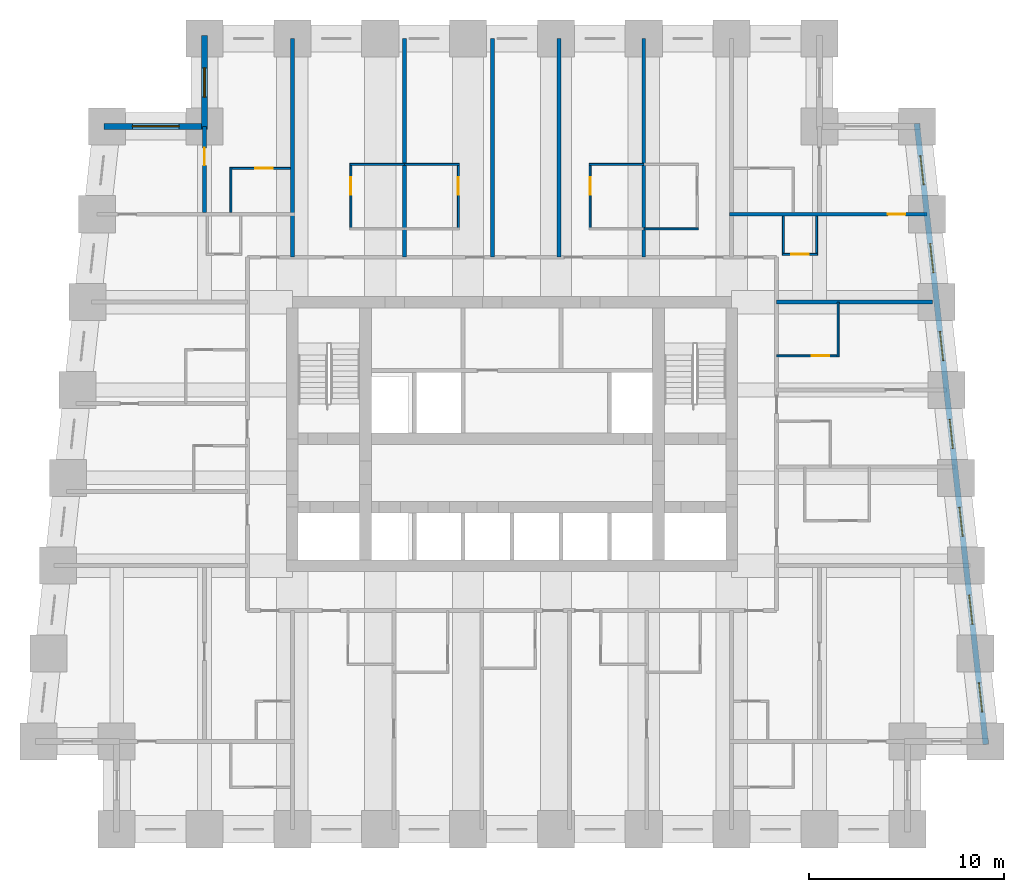
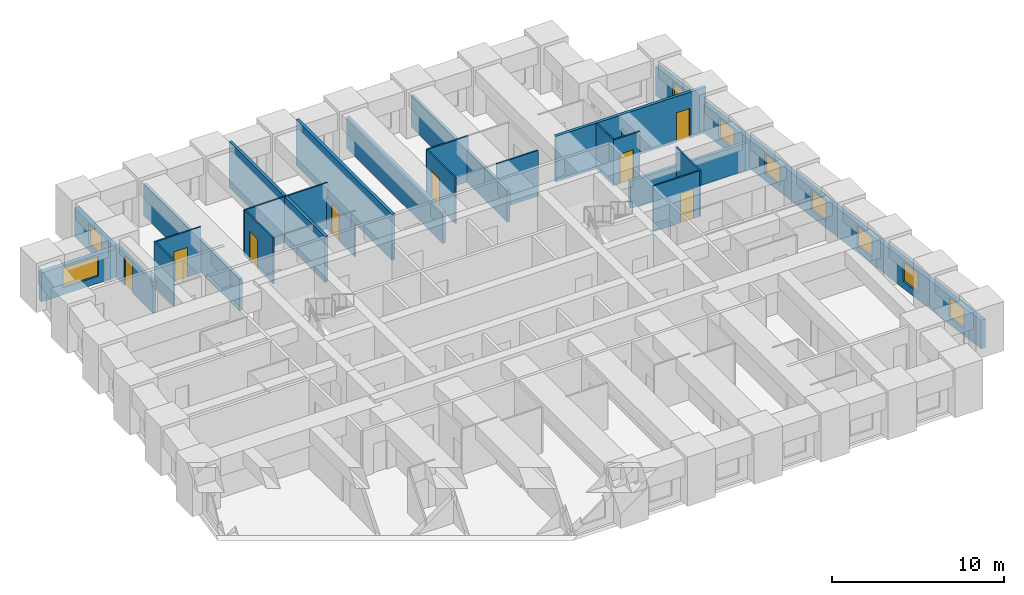
# One storey, part 6 of 8: 25 walls, 9 windows, 8 doors, 17 openings.
"""IFC4 building model written with IfcOpenShell, lengths in metres."""

from ifc_helpers import new_model, si_unit, direction, frame, frame_2d, origin, place, context, subcontext, project, spatial, rectangle, extrude, material, layer, layer_set, type_object, element, fill, save


model = new_model("IFC4")

# Units and contexts
model_context = context("Model", 3, precision=1e-05, world=origin(), true_north=direction((0.0, 1.0)))
body_context = subcontext(model_context, "Body", "Model", "MODEL_VIEW")
ifc_project = project(units=[si_unit("LENGTHUNIT", "METRE"), si_unit("AREAUNIT", "SQUARE_METRE"), si_unit("VOLUMEUNIT", "CUBIC_METRE"), si_unit("PLANEANGLEUNIT", "RADIAN"), si_unit("MASSUNIT", "GRAM", prefix="KILO")], contexts=[model_context])

# Site, building, storey
site_placement = place(None, origin())
site = spatial("IfcSite", under=ifc_project, at=site_placement, CompositionType="ELEMENT")
building_placement = place(site_placement, origin())
building = spatial("IfcBuilding", under=site, at=building_placement, Name="Kilele Tower Hotel", CompositionType="ELEMENT")
storey_placement = place(building_placement, frame((0.0, 0.0, 75.199951171875)))
storey = spatial("IfcBuildingStorey", under=building, at=storey_placement, Name="L18", CompositionType="ELEMENT", Elevation=75.199951171875)

# Wall
ifc_material_1 = material(Name="Moisture-resistant board")
ifc_layer_1 = layer(ifc_material_1, 0.10009765625)
ifc_layer_set_1 = layer_set([ifc_layer_1], Name="Moisture-resistant board")
wall_type_1 = type_object("IfcWallType", Name="Bathroom partition 100", PredefinedType="PLUMBINGWALL", material=ifc_layer_set_1)
wall_1_placement = place(storey_placement, frame((41.449951171875, 24.199951171875, 0.0), z_axis=(0.0, 0.0, 1.0), x_axis=(0.0, 1.0, 0.0)))
element("IfcWall", 1, at=wall_1_placement, inside=storey, type_object=wall_type_1, Name="Bathroom partition 100 L18", PredefinedType="PLUMBINGWALL", context=body_context, shape_type="SweptSolid", body=[
    extrude(rectangle(XDim=2.800048828125, YDim=0.10009765625, at=frame_2d((1.39990234375, 0.0))), origin(), (0.0, 0.0, 1.0), 3.25),
])

# Wall, opening, door
wall_2_placement = place(storey_placement, frame((38.300048828125, 24.25, 0.0), z_axis=(0.0, 0.0, 1.0), x_axis=(1.0, 0.0, 0.0)))
wall_2 = element("IfcWall", 2, at=wall_2_placement, inside=storey, type_object=wall_type_1, Name="Bathroom partition 100 L18", PredefinedType="PLUMBINGWALL", context=body_context, shape_type="SweptSolid", body=[
    extrude(rectangle(XDim=3.199951171875, YDim=0.10009765625, at=frame_2d((1.60009765625, 0.0))), origin(), (0.0, 0.0, 1.0), 3.25),
])
opening_1_placement = place(wall_2_placement, frame((2.699951171875, 0.0, 0.0), z_axis=(0.0, 0.0, 1.0), x_axis=(-1.0, 0.0, 0.0)))
opening_1 = element("IfcOpeningElement", 3, at=opening_1_placement, cuts=wall_2, Name="Opening D2A", PredefinedType="OPENING", context=body_context, shape_type="SweptSolid", body=[
    extrude(rectangle(XDim=0.89990234375, YDim=2.10009765625, at=frame_2d((0.449951171875, 1.050048828125))), frame((0.0, 0.06005859375, 0.0), z_axis=(0.0, -1.0, 0.0), x_axis=(1.0, 0.0, 0.0)), (0.0, 0.0, 1.0), 0.1201171875),
])
ifc_material_2 = material(Name="Timber door leaf in hardwood frame", Category="wood")
door_type_1 = type_object("IfcDoorType", Name="Bathroom door 900", OperationType="SINGLE_SWING_LEFT", PredefinedType="DOOR", material=ifc_material_2)
door_1_placement = place(opening_1_placement, origin())
door_1 = element("IfcDoor", 4, at=door_1_placement, inside=storey, type_object=door_type_1, Name="Bathroom door 1808B", OperationType="SINGLE_SWING_LEFT", OverallHeight=2.10009765625, OverallWidth=0.89990234375, PredefinedType="DOOR", context=body_context, shape_type="SweptSolid", body=[
    extrude(rectangle(XDim=0.89990234375, YDim=2.10009765625, at=frame_2d((0.449951171875, 1.050048828125))), frame((0.0, 0.02490234375, 0.0), z_axis=(0.0, -1.0, 0.0), x_axis=(1.0, 0.0, 0.0)), (0.0, 0.0, 1.0), 0.050048828125),
])
fill(opening_1, door_1)

# Wall
wall_3_placement = place(storey_placement, frame((16.449951171875, 34.050048828125, 0.0), z_axis=(0.0, 0.0, 1.0), x_axis=(1.0, 0.0, 0.0)))
element("IfcWall", 5, at=wall_3_placement, inside=storey, type_object=wall_type_1, Name="Bathroom partition 100 L18", PredefinedType="PLUMBINGWALL", context=body_context, shape_type="SweptSolid", body=[
    extrude(rectangle(XDim=2.800048828125, YDim=0.10009765625, at=frame_2d((1.39990234375, 0.0))), origin(), (0.0, 0.0, 1.0), 3.25),
])

# Wall, opening, door
wall_4_placement = place(storey_placement, frame((16.5, 30.699951171875, 0.0), z_axis=(0.0, 0.0, 1.0), x_axis=(0.0, 1.0, 0.0)))
wall_4 = element("IfcWall", 6, at=wall_4_placement, inside=storey, type_object=wall_type_1, Name="Bathroom partition 100 L18", PredefinedType="PLUMBINGWALL", context=body_context, shape_type="SweptSolid", body=[
    extrude(rectangle(XDim=3.400146484375, YDim=0.10009765625, at=frame_2d((1.7001953125, 0.0))), origin(), (0.0, 0.0, 1.0), 3.25),
])
opening_2_placement = place(wall_4_placement, frame((1.800048828125, 0.0, 0.0)))
opening_2 = element("IfcOpeningElement", 7, at=opening_2_placement, cuts=wall_4, Name="Opening D2A", PredefinedType="OPENING", context=body_context, shape_type="SweptSolid", body=[
    extrude(rectangle(XDim=0.89990234375, YDim=2.10009765625, at=frame_2d((0.449951171875, 1.050048828125))), frame((0.0, 0.06005859375, 0.0), z_axis=(0.0, -1.0, 0.0), x_axis=(1.0, 0.0, 0.0)), (0.0, 0.0, 1.0), 0.1201171875),
])
door_2_placement = place(opening_2_placement, origin())
door_2 = element("IfcDoor", 8, at=door_2_placement, inside=storey, type_object=door_type_1, Name="Bathroom door 1809B", OperationType="SINGLE_SWING_RIGHT", OverallHeight=2.10009765625, OverallWidth=0.89990234375, PredefinedType="DOOR", context=body_context, shape_type="SweptSolid", body=[
    extrude(rectangle(XDim=0.89990234375, YDim=2.10009765625, at=frame_2d((0.449951171875, 1.050048828125))), frame((0.0, 0.02490234375, 0.0), z_axis=(0.0, -1.0, 0.0), x_axis=(1.0, 0.0, 0.0)), (0.0, 0.0, 1.0), 0.050048828125),
])
fill(opening_2, door_2)

# Wall
wall_5_placement = place(storey_placement, frame((19.25, 34.050048828125, 0.0), z_axis=(0.0, 0.0, 1.0), x_axis=(1.0, 0.0, 0.0)))
element("IfcWall", 9, at=wall_5_placement, inside=storey, type_object=wall_type_1, Name="Bathroom partition 100 L18", PredefinedType="PLUMBINGWALL", context=body_context, shape_type="SweptSolid", body=[
    extrude(rectangle(XDim=2.800048828125, YDim=0.10009765625, at=frame_2d((1.39990234375, 0.0))), origin(), (0.0, 0.0, 1.0), 3.25),
])

# Wall, opening, door
wall_6_placement = place(storey_placement, frame((22.0, 30.699951171875, 0.0), z_axis=(0.0, 0.0, 1.0), x_axis=(0.0, 1.0, 0.0)))
wall_6 = element("IfcWall", 10, at=wall_6_placement, inside=storey, type_object=wall_type_1, Name="Bathroom partition 100 L18", PredefinedType="PLUMBINGWALL", context=body_context, shape_type="SweptSolid", body=[
    extrude(rectangle(XDim=3.400146484375, YDim=0.10009765625, at=frame_2d((1.7001953125, 0.0))), origin(), (0.0, 0.0, 1.0), 2.25),
])
opening_3_placement = place(wall_6_placement, frame((2.699951171875, 0.0, 0.0), z_axis=(0.0, 0.0, 1.0), x_axis=(-1.0, 0.0, 0.0)))
opening_3 = element("IfcOpeningElement", 11, at=opening_3_placement, cuts=wall_6, Name="Opening D2A", PredefinedType="OPENING", context=body_context, shape_type="SweptSolid", body=[
    extrude(rectangle(XDim=0.89990234375, YDim=2.10009765625, at=frame_2d((0.449951171875, 1.050048828125))), frame((0.0, 0.06005859375, 0.0), z_axis=(0.0, -1.0, 0.0), x_axis=(1.0, 0.0, 0.0)), (0.0, 0.0, 1.0), 0.1201171875),
])
door_3_placement = place(opening_3_placement, origin())
door_3 = element("IfcDoor", 12, at=door_3_placement, inside=storey, type_object=door_type_1, Name="Bathroom door 1810B", OperationType="SINGLE_SWING_LEFT", OverallHeight=2.10009765625, OverallWidth=0.89990234375, PredefinedType="DOOR", context=body_context, shape_type="SweptSolid", body=[
    extrude(rectangle(XDim=0.89990234375, YDim=2.10009765625, at=frame_2d((0.449951171875, 1.050048828125))), frame((0.0, 0.02490234375, 0.0), z_axis=(0.0, -1.0, 0.0), x_axis=(1.0, 0.0, 0.0)), (0.0, 0.0, 1.0), 0.050048828125),
])
fill(opening_3, door_3)

# Wall
wall_7_placement = place(storey_placement, frame((28.699951171875, 34.050048828125, 0.0), z_axis=(0.0, 0.0, 1.0), x_axis=(1.0, 0.0, 0.0)))
element("IfcWall", 13, at=wall_7_placement, inside=storey, type_object=wall_type_1, Name="Bathroom partition 100 L18", PredefinedType="PLUMBINGWALL", context=body_context, shape_type="SweptSolid", body=[
    extrude(rectangle(XDim=2.800048828125, YDim=0.10009765625, at=frame_2d((1.39990234375, 0.0))), origin(), (0.0, 0.0, 1.0), 3.25),
])

# Wall, opening, door
wall_8_placement = place(storey_placement, frame((28.75, 30.699951171875, 0.0), z_axis=(0.0, 0.0, 1.0), x_axis=(0.0, 1.0, 0.0)))
wall_8 = element("IfcWall", 14, at=wall_8_placement, inside=storey, type_object=wall_type_1, Name="Bathroom partition 100 L18", PredefinedType="PLUMBINGWALL", context=body_context, shape_type="SweptSolid", body=[
    extrude(rectangle(XDim=3.400146484375, YDim=0.10009765625, at=frame_2d((1.7001953125, 0.0))), origin(), (0.0, 0.0, 1.0), 3.25),
])
opening_4_placement = place(wall_8_placement, frame((1.800048828125, 0.0, 0.0)))
opening_4 = element("IfcOpeningElement", 15, at=opening_4_placement, cuts=wall_8, Name="Opening D2A", PredefinedType="OPENING", context=body_context, shape_type="SweptSolid", body=[
    extrude(rectangle(XDim=0.89990234375, YDim=2.10009765625, at=frame_2d((0.449951171875, 1.050048828125))), frame((0.0, 0.06005859375, 0.0), z_axis=(0.0, -1.0, 0.0), x_axis=(1.0, 0.0, 0.0)), (0.0, 0.0, 1.0), 0.1201171875),
])
door_4_placement = place(opening_4_placement, origin())
door_4 = element("IfcDoor", 16, at=door_4_placement, inside=storey, type_object=door_type_1, Name="Bathroom door 1812B", OperationType="SINGLE_SWING_RIGHT", OverallHeight=2.10009765625, OverallWidth=0.89990234375, PredefinedType="DOOR", context=body_context, shape_type="SweptSolid", body=[
    extrude(rectangle(XDim=0.89990234375, YDim=2.10009765625, at=frame_2d((0.449951171875, 1.050048828125))), frame((0.0, 0.02490234375, 0.0), z_axis=(0.0, -1.0, 0.0), x_axis=(1.0, 0.0, 0.0)), (0.0, 0.0, 1.0), 0.050048828125),
])
fill(opening_4, door_4)

# Walls
wall_9_placement = place(storey_placement, frame((31.5, 30.75, 0.0), z_axis=(0.0, 0.0, 1.0), x_axis=(1.0, 0.0, 0.0)))
element("IfcWall", 17, at=wall_9_placement, inside=storey, type_object=wall_type_1, Name="Bathroom partition 100 L18", PredefinedType="PLUMBINGWALL", context=body_context, shape_type="SweptSolid", body=[
    extrude(rectangle(XDim=2.800048828125, YDim=0.10009765625, at=frame_2d((1.39990234375, 0.0))), origin(), (0.0, 0.0, 1.0), 3.25),
])
wall_10_placement = place(storey_placement, frame((40.35009765625, 31.39990234375, 0.0), z_axis=(0.0, 0.0, 1.0), x_axis=(0.0, -1.0, 0.0)))
element("IfcWall", 18, at=wall_10_placement, inside=storey, type_object=wall_type_1, Name="Bathroom partition 100 L18", PredefinedType="PLUMBINGWALL", context=body_context, shape_type="SweptSolid", body=[
    extrude(rectangle(XDim=2.0, YDim=0.10009765625, at=frame_2d((1.0, 0.0))), origin(), (0.0, 0.0, 1.0), 2.25),
])
wall_11_placement = place(storey_placement, frame((38.64990234375, 31.39990234375, 0.0), z_axis=(0.0, 0.0, 1.0), x_axis=(0.0, -1.0, 0.0)))
element("IfcWall", 19, at=wall_11_placement, inside=storey, type_object=wall_type_1, Name="Bathroom partition 100 L18", PredefinedType="PLUMBINGWALL", context=body_context, shape_type="SweptSolid", body=[
    extrude(rectangle(XDim=2.0, YDim=0.10009765625, at=frame_2d((1.0, 0.0))), origin(), (0.0, 0.0, 1.0), 3.25),
])

# Wall, opening, door
wall_12_placement = place(storey_placement, frame((38.60009765625, 29.449951171875, 0.0), z_axis=(0.0, 0.0, 1.0), x_axis=(1.0, 0.0, 0.0)))
wall_12 = element("IfcWall", 20, at=wall_12_placement, inside=storey, type_object=wall_type_1, Name="Bathroom partition 100 L18", PredefinedType="PLUMBINGWALL", context=body_context, shape_type="SweptSolid", body=[
    extrude(rectangle(XDim=1.7998046875, YDim=0.10009765625, at=frame_2d((0.89990234375, 0.0))), origin(), (0.0, 0.0, 1.0), 3.25),
])
opening_5_placement = place(wall_12_placement, frame((1.349853515625, 0.0, 0.0), z_axis=(0.0, 0.0, 1.0), x_axis=(-1.0, 0.0, 0.0)))
opening_5 = element("IfcOpeningElement", 21, at=opening_5_placement, cuts=wall_12, Name="Opening D2A", PredefinedType="OPENING", context=body_context, shape_type="SweptSolid", body=[
    extrude(rectangle(XDim=0.89990234375, YDim=2.10009765625, at=frame_2d((0.449951171875, 1.050048828125))), frame((0.0, 0.06005859375, 0.0), z_axis=(0.0, -1.0, 0.0), x_axis=(1.0, 0.0, 0.0)), (0.0, 0.0, 1.0), 0.1201171875),
])
door_5_placement = place(opening_5_placement, origin())
door_5 = element("IfcDoor", 22, at=door_5_placement, inside=storey, type_object=door_type_1, Name="Bathroom door 1823P", OperationType="SINGLE_SWING_RIGHT", OverallHeight=2.10009765625, OverallWidth=0.89990234375, PredefinedType="DOOR", context=body_context, shape_type="SweptSolid", body=[
    extrude(rectangle(XDim=0.89990234375, YDim=2.10009765625, at=frame_2d((0.449951171875, 1.050048828125))), frame((0.0, 0.02490234375, 0.0), z_axis=(0.0, -1.0, 0.0), x_axis=(1.0, 0.0, 0.0)), (0.0, 0.0, 1.0), 0.050048828125),
])
fill(opening_5, door_5)

# Wall
wall_13_placement = place(storey_placement, frame((10.35009765625, 31.60009765625, 0.0), z_axis=(0.0, 0.0, 1.0), x_axis=(0.0, 1.0, 0.0)))
element("IfcWall", 23, at=wall_13_placement, inside=storey, type_object=wall_type_1, Name="Bathroom partition 100 L18", PredefinedType="PLUMBINGWALL", context=body_context, shape_type="SweptSolid", body=[
    extrude(rectangle(XDim=2.2998046875, YDim=0.10009765625, at=frame_2d((1.14990234375, 0.0))), origin(), (0.0, 0.0, 1.0), 3.25),
])

# Wall, opening, door
wall_14_placement = place(storey_placement, frame((13.39990234375, 33.85009765625, 0.0), z_axis=(0.0, 0.0, 1.0), x_axis=(-1.0, 0.0, 0.0)))
wall_14 = element("IfcWall", 24, at=wall_14_placement, inside=storey, type_object=wall_type_1, Name="Bathroom partition 100 L18", PredefinedType="PLUMBINGWALL", context=body_context, shape_type="SweptSolid", body=[
    extrude(rectangle(XDim=3.099853515625, YDim=0.10009765625, at=frame_2d((1.5498046875, 0.0))), origin(), (0.0, 0.0, 1.0), 3.25),
])
opening_6_placement = place(wall_14_placement, frame((1.7998046875, 0.0, 0.0), z_axis=(0.0, 0.0, 1.0), x_axis=(-1.0, 0.0, 0.0)))
opening_6 = element("IfcOpeningElement", 25, at=opening_6_placement, cuts=wall_14, Name="Opening D2A", PredefinedType="OPENING", context=body_context, shape_type="SweptSolid", body=[
    extrude(rectangle(XDim=0.89990234375, YDim=2.10009765625, at=frame_2d((0.449951171875, 1.050048828125))), frame((0.0, 0.06005859375, 0.0), z_axis=(0.0, -1.0, 0.0), x_axis=(1.0, 0.0, 0.0)), (0.0, 0.0, 1.0), 0.1201171875),
])
door_6_placement = place(opening_6_placement, origin())
door_6 = element("IfcDoor", 26, at=door_6_placement, inside=storey, type_object=door_type_1, Name="Bathroom door 1827B", OperationType="SINGLE_SWING_RIGHT", OverallHeight=2.10009765625, OverallWidth=0.89990234375, PredefinedType="DOOR", context=body_context, shape_type="SweptSolid", body=[
    extrude(rectangle(XDim=0.89990234375, YDim=2.10009765625, at=frame_2d((0.449951171875, 1.050048828125))), frame((0.0, 0.02490234375, 0.0), z_axis=(0.0, -1.0, 0.0), x_axis=(1.0, 0.0, 0.0)), (0.0, 0.0, 1.0), 0.050048828125),
])
fill(opening_6, door_6)

ifc_material_3 = material(Name="Blockwork, plastered both sides", Category="masonry")
ifc_layer_2 = layer(ifc_material_3, 0.199951171875)
ifc_layer_set_2 = layer_set([ifc_layer_2], Name="Blockwork, plastered both sides")
wall_type_2 = type_object("IfcWallType", Name="Partition wall 200", PredefinedType="PARTITIONING", material=ifc_layer_set_2)
wall_15_placement = place(storey_placement, frame((9.0, 31.60009765625, 0.0), z_axis=(0.0, 0.0, 1.0), x_axis=(0.0, 1.0, 0.0)))
wall_15 = element("IfcWall", 27, at=wall_15_placement, inside=storey, type_object=wall_type_2, Name="Partition wall 200 L18", PredefinedType="PARTITIONING", context=body_context, shape_type="SweptSolid", body=[
    extrude(rectangle(XDim=4.39990234375, YDim=0.199951171875, at=frame_2d((2.199951171875, 0.0))), origin(), (0.0, 0.0, 1.0), 2.25),
])
opening_7_placement = place(wall_15_placement, frame((2.39990234375, 0.0, 0.0)))
opening_7 = element("IfcOpeningElement", 28, at=opening_7_placement, cuts=wall_15, Name="Opening D3", PredefinedType="OPENING", context=body_context, shape_type="SweptSolid", body=[
    extrude(rectangle(XDim=0.89990234375, YDim=2.10009765625, at=frame_2d((0.449951171875, 1.050048828125))), frame((0.0, 0.10986328125, 0.0), z_axis=(0.0, -1.0, 0.0), x_axis=(1.0, 0.0, 0.0)), (0.0, 0.0, 1.0), 0.219970703125),
])
ifc_material_4 = material(Name="Timber door leaf in hardwood frame", Category="wood")
door_type_2 = type_object("IfcDoorType", Name="Suite internal door 900", OperationType="SINGLE_SWING_LEFT", PredefinedType="DOOR", material=ifc_material_4)
door_7_placement = place(opening_7_placement, origin())
door_7 = element("IfcDoor", 29, at=door_7_placement, inside=storey, type_object=door_type_2, Name="Suite door 1828", OperationType="SINGLE_SWING_RIGHT", OverallHeight=2.10009765625, OverallWidth=0.89990234375, PredefinedType="DOOR", context=body_context, shape_type="SweptSolid", body=[
    extrude(rectangle(XDim=0.89990234375, YDim=2.10009765625, at=frame_2d((0.449951171875, 1.050048828125))), frame((0.0, 0.02490234375, 0.0), z_axis=(0.0, -1.0, 0.0), x_axis=(1.0, 0.0, 0.0)), (0.0, 0.0, 1.0), 0.050048828125),
])
fill(opening_7, door_7)

# Walls
ifc_material_5 = material(Name="Blockwork, plastered both sides", Category="masonry")
ifc_layer_3 = layer(ifc_material_5, 0.199951171875)
ifc_layer_set_3 = layer_set([ifc_layer_3], Name="Blockwork, plastered both sides")
wall_type_3 = type_object("IfcWallType", Name="Party wall 200", PredefinedType="PARTITIONING", material=ifc_layer_set_3)
for number, where, z_axis, x_axis, name in (
    (30, (19.25, 29.300048828125, 0.0), (0.0, 0.0, 1.0), (0.0, 1.0, 0.0), "Party wall 200 L18"),
    (31, (23.75, 29.300048828125, 0.0), (0.0, 0.0, 1.0), (0.0, 1.0, 0.0), "Party wall 200 L18"),
):
    element("IfcWall", number, at=place(storey_placement, frame(where, z_axis=z_axis, x_axis=x_axis)), inside=storey, type_object=wall_type_3, Name=name, PredefinedType="PARTITIONING", context=body_context, shape_type="SweptSolid", body=[
        extrude(rectangle(XDim=11.199951171875, YDim=0.199951171875, at=frame_2d((5.60009765625, 0.0))), origin(), (0.0, 0.0, 1.0), 3.25),
    ])
for number, where, z_axis, x_axis, name in (
    (32, (27.14990234375, 29.300048828125, 0.0), (0.0, 0.0, 1.0), (0.0, 1.0, 0.0), "Party wall 200 L18"),
    (33, (31.5, 29.300048828125, 0.0), (0.0, 0.0, 1.0), (0.0, 1.0, 0.0), "Party wall 200 L18"),
):
    element("IfcWall", number, at=place(storey_placement, frame(where, z_axis=z_axis, x_axis=x_axis)), inside=storey, type_object=wall_type_3, Name=name, PredefinedType="PARTITIONING", context=body_context, shape_type="SweptSolid", body=[
        extrude(rectangle(XDim=11.199951171875, YDim=0.199951171875, at=frame_2d((5.60009765625, 0.0))), origin(), (0.0, 0.0, 1.0), 2.25),
    ])
wall_16_placement = place(storey_placement, frame((38.300048828125, 27.0, 0.0), z_axis=(0.0, 0.0, 1.0), x_axis=(1.0, 0.0, 0.0)))
element("IfcWall", 34, at=wall_16_placement, inside=storey, type_object=wall_type_3, Name="Party wall 200 L18", PredefinedType="PARTITIONING", context=body_context, shape_type="SweptSolid", body=[
    extrude(rectangle(XDim=7.976806640625, YDim=0.199951171875, at=frame_2d((3.98828125, 0.0))), origin(), (0.0, 0.0, 1.0), 1.949951171875),
])

# Wall, opening, door
wall_17_placement = place(storey_placement, frame((35.89990234375, 31.5, 0.0), z_axis=(0.0, 0.0, 1.0), x_axis=(1.0, 0.0, 0.0)))
wall_17 = element("IfcWall", 35, at=wall_17_placement, inside=storey, type_object=wall_type_3, Name="Party wall 200 L18", PredefinedType="PARTITIONING", context=body_context, shape_type="SweptSolid", body=[
    extrude(rectangle(XDim=10.09912109375, YDim=0.199951171875, at=frame_2d((5.049560546875, 0.0))), origin(), (0.0, 0.0, 1.0), 3.25),
])
opening_8_placement = place(wall_17_placement, frame((8.09912109375, 0.0, 0.0)))
opening_8 = element("IfcOpeningElement", 36, at=opening_8_placement, cuts=wall_17, Name="Opening D3", PredefinedType="OPENING", context=body_context, shape_type="SweptSolid", body=[
    extrude(rectangle(XDim=0.89990234375, YDim=2.10009765625, at=frame_2d((0.449951171875, 1.050048828125))), frame((0.0, 0.10986328125, 0.0), z_axis=(0.0, -1.0, 0.0), x_axis=(1.0, 0.0, 0.0)), (0.0, 0.0, 1.0), 0.219970703125),
])
door_8_placement = place(opening_8_placement, origin())
door_8 = element("IfcDoor", 37, at=door_8_placement, inside=storey, type_object=door_type_2, Name="Suite door 1824", OperationType="SINGLE_SWING_RIGHT", OverallHeight=2.10009765625, OverallWidth=0.89990234375, PredefinedType="DOOR", context=body_context, shape_type="SweptSolid", body=[
    extrude(rectangle(XDim=0.89990234375, YDim=2.10009765625, at=frame_2d((0.449951171875, 1.050048828125))), frame((0.0, 0.02490234375, 0.0), z_axis=(0.0, -1.0, 0.0), x_axis=(1.0, 0.0, 0.0)), (0.0, 0.0, 1.0), 0.050048828125),
])
fill(opening_8, door_8)

# Wall
wall_18_placement = place(storey_placement, frame((13.5, 29.300048828125, 0.0), z_axis=(0.0, 0.0, 1.0), x_axis=(0.0, 1.0, 0.0)))
element("IfcWall", 38, at=wall_18_placement, inside=storey, type_object=wall_type_3, Name="Party wall 200 L18", PredefinedType="PARTITIONING", context=body_context, shape_type="SweptSolid", body=[
    extrude(rectangle(XDim=11.199951171875, YDim=0.199951171875, at=frame_2d((5.60009765625, 0.0))), origin(), (0.0, 0.0, 1.0), 2.25),
])

# Wall, openings, windows
ifc_material_6 = material(Name="Concrete C40/50 precast", Category="concrete")
ifc_layer_4 = layer(ifc_material_6, 0.260009765625, Name="Precast backing", Category="LoadBearing")
ifc_material_7 = material(Name="Reconstituted stone finish", Category="masonry")
ifc_layer_5 = layer(ifc_material_7, 0.0400390625, Name="Face mix", Category="Finish")
ifc_layer_set_4 = layer_set([ifc_layer_4, ifc_layer_5], Name="Precast concrete C40/50, reconstituted stone finish")
wall_type_4 = type_object("IfcWallType", Name="Precast stone facade wall 300", PredefinedType="STANDARD", material=ifc_layer_set_4)
wall_19_placement = place(storey_placement, frame((49.0166015625, 4.350830078125, 0.0), z_axis=(0.0, 0.0, 1.0), x_axis=(-0.110433201132, 0.993883548555, 0.0)))
wall_19 = element("IfcWall", 39, at=wall_19_placement, inside=storey, type_object=wall_type_4, Name="Facade wall L18 edge 6", PredefinedType="STANDARD", context=body_context, shape_type="SweptSolid", body=[
    extrude(rectangle(XDim=31.994140625, YDim=0.300048828125, at=frame_2d((15.9970703125, 0.0))), origin(), (0.0, 0.0, 1.0), 2.050048828125),
])
opening_9_placement = place(wall_19_placement, frame((1.6640625, 0.0, 0.5)))
opening_9 = element("IfcOpeningElement", 40, at=opening_9_placement, cuts=wall_19, Name="Opening W1", PredefinedType="OPENING", context=body_context, shape_type="SweptSolid", body=[
    extrude(rectangle(XDim=1.5, YDim=1.39990234375, at=frame_2d((0.75, 0.699951171875))), frame((0.0, 0.159912109375, 0.0), z_axis=(0.0, -1.0, 0.0), x_axis=(1.0, 0.0, 0.0)), (0.0, 0.0, 1.0), 0.320068359375),
])
opening_10_placement = place(wall_19_placement, frame((6.19189453125, 0.0, 0.5)))
opening_10 = element("IfcOpeningElement", 41, at=opening_10_placement, cuts=wall_19, Name="Opening W1", PredefinedType="OPENING", context=body_context, shape_type="SweptSolid", body=[
    extrude(rectangle(XDim=1.5, YDim=1.39990234375, at=frame_2d((0.75, 0.699951171875))), frame((0.0, 0.159912109375, 0.0), z_axis=(0.0, -1.0, 0.0), x_axis=(1.0, 0.0, 0.0)), (0.0, 0.0, 1.0), 0.320068359375),
])
opening_11_placement = place(wall_19_placement, frame((10.718994140625, 0.0, 0.5)))
opening_11 = element("IfcOpeningElement", 42, at=opening_11_placement, cuts=wall_19, Name="Opening W1", PredefinedType="OPENING", context=body_context, shape_type="SweptSolid", body=[
    extrude(rectangle(XDim=1.5, YDim=1.39990234375, at=frame_2d((0.75, 0.699951171875))), frame((0.0, 0.159912109375, 0.0), z_axis=(0.0, -1.0, 0.0), x_axis=(1.0, 0.0, 0.0)), (0.0, 0.0, 1.0), 0.320068359375),
])
opening_12_placement = place(wall_19_placement, frame((15.2470703125, 0.0, 0.5)))
opening_12 = element("IfcOpeningElement", 43, at=opening_12_placement, cuts=wall_19, Name="Opening W1", PredefinedType="OPENING", context=body_context, shape_type="SweptSolid", body=[
    extrude(rectangle(XDim=1.5, YDim=1.39990234375, at=frame_2d((0.75, 0.699951171875))), frame((0.0, 0.159912109375, 0.0), z_axis=(0.0, -1.0, 0.0), x_axis=(1.0, 0.0, 0.0)), (0.0, 0.0, 1.0), 0.320068359375),
])
opening_13_placement = place(wall_19_placement, frame((19.77490234375, 0.0, 0.5)))
opening_13 = element("IfcOpeningElement", 44, at=opening_13_placement, cuts=wall_19, Name="Opening W1", PredefinedType="OPENING", context=body_context, shape_type="SweptSolid", body=[
    extrude(rectangle(XDim=1.5, YDim=1.39990234375, at=frame_2d((0.75, 0.699951171875))), frame((0.0, 0.159912109375, 0.0), z_axis=(0.0, -1.0, 0.0), x_axis=(1.0, 0.0, 0.0)), (0.0, 0.0, 1.0), 0.320068359375),
])
opening_14_placement = place(wall_19_placement, frame((24.302001953125, 0.0, 0.5)))
opening_14 = element("IfcOpeningElement", 45, at=opening_14_placement, cuts=wall_19, Name="Opening W1", PredefinedType="OPENING", context=body_context, shape_type="SweptSolid", body=[
    extrude(rectangle(XDim=1.5, YDim=1.39990234375, at=frame_2d((0.75, 0.699951171875))), frame((0.0, 0.159912109375, 0.0), z_axis=(0.0, -1.0, 0.0), x_axis=(1.0, 0.0, 0.0)), (0.0, 0.0, 1.0), 0.320068359375),
])
opening_15_placement = place(wall_19_placement, frame((28.830078125, 0.0, 0.5)))
opening_15 = element("IfcOpeningElement", 46, at=opening_15_placement, cuts=wall_19, Name="Opening W1", PredefinedType="OPENING", context=body_context, shape_type="SweptSolid", body=[
    extrude(rectangle(XDim=1.5, YDim=1.39990234375, at=frame_2d((0.75, 0.699951171875))), frame((0.0, 0.159912109375, 0.0), z_axis=(0.0, -1.0, 0.0), x_axis=(1.0, 0.0, 0.0)), (0.0, 0.0, 1.0), 0.320068359375),
])
ifc_material_8 = material(Name="Aluminium frame, clear double glazing", Category="aluminium")
window_type_1 = type_object("IfcWindowType", Name="Window W1 1500 x 1400", PartitioningType="SINGLE_PANEL", PredefinedType="WINDOW", material=ifc_material_8)
window_1_placement = place(opening_9_placement, origin())
window_1 = element("IfcWindow", 47, at=window_1_placement, inside=storey, type_object=window_type_1, Name="Window L18", OverallHeight=1.39990234375, OverallWidth=1.5, PartitioningType="SINGLE_PANEL", PredefinedType="WINDOW", context=body_context, shape_type="SweptSolid", body=[
    extrude(rectangle(XDim=1.5, YDim=1.39990234375, at=frame_2d((0.75, 0.699951171875))), frame((0.0, 0.030029296875, 0.0), z_axis=(0.0, -1.0, 0.0), x_axis=(1.0, 0.0, 0.0)), (0.0, 0.0, 1.0), 0.06005859375),
])
fill(opening_9, window_1)
window_2_placement = place(opening_10_placement, origin())
window_2 = element("IfcWindow", 48, at=window_2_placement, inside=storey, type_object=window_type_1, Name="Window L18", OverallHeight=1.39990234375, OverallWidth=1.5, PartitioningType="SINGLE_PANEL", PredefinedType="WINDOW", context=body_context, shape_type="SweptSolid", body=[
    extrude(rectangle(XDim=1.5, YDim=1.39990234375, at=frame_2d((0.75, 0.699951171875))), frame((0.0, 0.030029296875, 0.0), z_axis=(0.0, -1.0, 0.0), x_axis=(1.0, 0.0, 0.0)), (0.0, 0.0, 1.0), 0.06005859375),
])
fill(opening_10, window_2)
window_3_placement = place(opening_11_placement, origin())
window_3 = element("IfcWindow", 49, at=window_3_placement, inside=storey, type_object=window_type_1, Name="Window L18", OverallHeight=1.39990234375, OverallWidth=1.5, PartitioningType="SINGLE_PANEL", PredefinedType="WINDOW", context=body_context, shape_type="SweptSolid", body=[
    extrude(rectangle(XDim=1.5, YDim=1.39990234375, at=frame_2d((0.75, 0.699951171875))), frame((0.0, 0.030029296875, 0.0), z_axis=(0.0, -1.0, 0.0), x_axis=(1.0, 0.0, 0.0)), (0.0, 0.0, 1.0), 0.06005859375),
])
fill(opening_11, window_3)
window_4_placement = place(opening_12_placement, origin())
window_4 = element("IfcWindow", 50, at=window_4_placement, inside=storey, type_object=window_type_1, Name="Window L18", OverallHeight=1.39990234375, OverallWidth=1.5, PartitioningType="SINGLE_PANEL", PredefinedType="WINDOW", context=body_context, shape_type="SweptSolid", body=[
    extrude(rectangle(XDim=1.5, YDim=1.39990234375, at=frame_2d((0.75, 0.699951171875))), frame((0.0, 0.030029296875, 0.0), z_axis=(0.0, -1.0, 0.0), x_axis=(1.0, 0.0, 0.0)), (0.0, 0.0, 1.0), 0.06005859375),
])
fill(opening_12, window_4)
window_5_placement = place(opening_13_placement, origin())
window_5 = element("IfcWindow", 51, at=window_5_placement, inside=storey, type_object=window_type_1, Name="Window L18", OverallHeight=1.39990234375, OverallWidth=1.5, PartitioningType="SINGLE_PANEL", PredefinedType="WINDOW", context=body_context, shape_type="SweptSolid", body=[
    extrude(rectangle(XDim=1.5, YDim=1.39990234375, at=frame_2d((0.75, 0.699951171875))), frame((0.0, 0.030029296875, 0.0), z_axis=(0.0, -1.0, 0.0), x_axis=(1.0, 0.0, 0.0)), (0.0, 0.0, 1.0), 0.06005859375),
])
fill(opening_13, window_5)
window_6_placement = place(opening_14_placement, origin())
window_6 = element("IfcWindow", 52, at=window_6_placement, inside=storey, type_object=window_type_1, Name="Window L18", OverallHeight=1.39990234375, OverallWidth=1.5, PartitioningType="SINGLE_PANEL", PredefinedType="WINDOW", context=body_context, shape_type="SweptSolid", body=[
    extrude(rectangle(XDim=1.5, YDim=1.39990234375, at=frame_2d((0.75, 0.699951171875))), frame((0.0, 0.030029296875, 0.0), z_axis=(0.0, -1.0, 0.0), x_axis=(1.0, 0.0, 0.0)), (0.0, 0.0, 1.0), 0.06005859375),
])
fill(opening_14, window_6)
window_7_placement = place(opening_15_placement, origin())
window_7 = element("IfcWindow", 53, at=window_7_placement, inside=storey, type_object=window_type_1, Name="Window L18", OverallHeight=1.39990234375, OverallWidth=1.5, PartitioningType="SINGLE_PANEL", PredefinedType="WINDOW", context=body_context, shape_type="SweptSolid", body=[
    extrude(rectangle(XDim=1.5, YDim=1.39990234375, at=frame_2d((0.75, 0.699951171875))), frame((0.0, 0.030029296875, 0.0), z_axis=(0.0, -1.0, 0.0), x_axis=(1.0, 0.0, 0.0)), (0.0, 0.0, 1.0), 0.06005859375),
])
fill(opening_15, window_7)

# Wall, opening, window
wall_20_placement = place(storey_placement, frame((9.0, 40.64990234375, 0.0), z_axis=(0.0, 0.0, 1.0), x_axis=(0.0, -1.0, 0.0)))
wall_20 = element("IfcWall", 54, at=wall_20_placement, inside=storey, type_object=wall_type_4, Name="Facade wall L18 edge 10", PredefinedType="STANDARD", context=body_context, shape_type="SweptSolid", body=[
    extrude(rectangle(XDim=4.7998046875, YDim=0.300048828125, at=frame_2d((2.39990234375, 0.0))), origin(), (0.0, 0.0, 1.0), 2.050048828125),
])
opening_16_placement = place(wall_20_placement, frame((1.64990234375, 0.0, 0.5)))
opening_16 = element("IfcOpeningElement", 55, at=opening_16_placement, cuts=wall_20, Name="Opening W1", PredefinedType="OPENING", context=body_context, shape_type="SweptSolid", body=[
    extrude(rectangle(XDim=1.5, YDim=1.39990234375, at=frame_2d((0.75, 0.699951171875))), frame((0.0, 0.159912109375, 0.0), z_axis=(0.0, -1.0, 0.0), x_axis=(1.0, 0.0, 0.0)), (0.0, 0.0, 1.0), 0.320068359375),
])
window_8_placement = place(opening_16_placement, origin())
window_8 = element("IfcWindow", 56, at=window_8_placement, inside=storey, type_object=window_type_1, Name="Window L18", OverallHeight=1.39990234375, OverallWidth=1.5, PartitioningType="SINGLE_PANEL", PredefinedType="WINDOW", context=body_context, shape_type="SweptSolid", body=[
    extrude(rectangle(XDim=1.5, YDim=1.39990234375, at=frame_2d((0.75, 0.699951171875))), frame((0.0, 0.030029296875, 0.0), z_axis=(0.0, -1.0, 0.0), x_axis=(1.0, 0.0, 0.0)), (0.0, 0.0, 1.0), 0.06005859375),
])
fill(opening_16, window_8)

wall_21_placement = place(storey_placement, frame((9.14990234375, 36.0, 0.0), z_axis=(0.0, 0.0, 1.0), x_axis=(-1.0, 0.0, 0.0)))
wall_21 = element("IfcWall", 57, at=wall_21_placement, inside=storey, type_object=wall_type_4, Name="Facade wall L18 edge 11", PredefinedType="STANDARD", context=body_context, shape_type="SweptSolid", body=[
    extrude(rectangle(XDim=5.2998046875, YDim=0.300048828125, at=frame_2d((2.64990234375, 0.0))), origin(), (0.0, 0.0, 1.0), 2.050048828125),
])
opening_17_placement = place(wall_21_placement, frame((1.449951171875, 0.0, 0.5)))
opening_17 = element("IfcOpeningElement", 58, at=opening_17_placement, cuts=wall_21, Name="Opening W1", PredefinedType="OPENING", context=body_context, shape_type="SweptSolid", body=[
    extrude(rectangle(XDim=2.39990234375, YDim=1.39990234375, at=frame_2d((1.199951171875, 0.699951171875))), frame((0.0, 0.159912109375, 0.0), z_axis=(0.0, -1.0, 0.0), x_axis=(1.0, 0.0, 0.0)), (0.0, 0.0, 1.0), 0.320068359375),
])
ifc_material_9 = material(Name="Aluminium frame, clear double glazing", Category="aluminium")
window_type_2 = type_object("IfcWindowType", Name="Window W1 2400 x 1400", PartitioningType="SINGLE_PANEL", PredefinedType="WINDOW", material=ifc_material_9)
window_9_placement = place(opening_17_placement, origin())
window_9 = element("IfcWindow", 59, at=window_9_placement, inside=storey, type_object=window_type_2, Name="Window L18", OverallHeight=1.39990234375, OverallWidth=2.39990234375, PartitioningType="SINGLE_PANEL", PredefinedType="WINDOW", context=body_context, shape_type="SweptSolid", body=[
    extrude(rectangle(XDim=2.39990234375, YDim=1.39990234375, at=frame_2d((1.199951171875, 0.699951171875))), frame((0.0, 0.030029296875, 0.0), z_axis=(0.0, -1.0, 0.0), x_axis=(1.0, 0.0, 0.0)), (0.0, 0.0, 1.0), 0.06005859375),
])
fill(opening_17, window_9)

save(model, "model.ifc")
